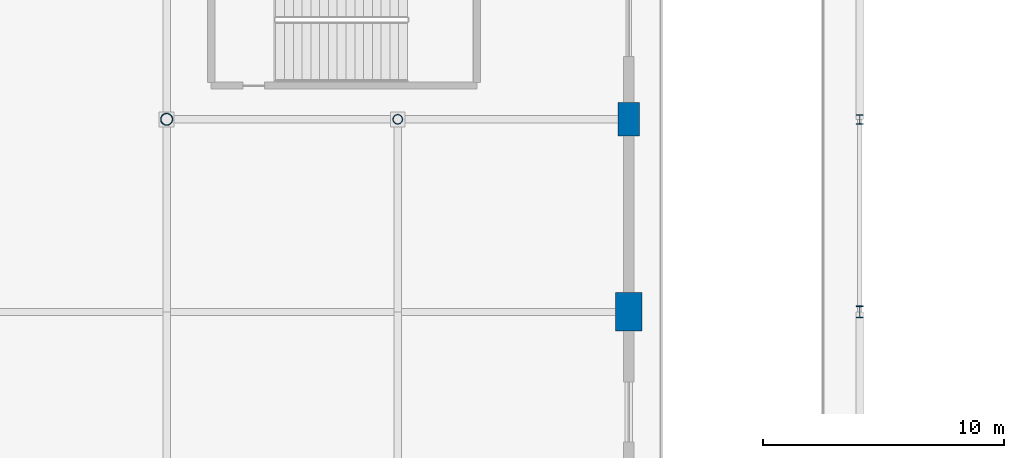
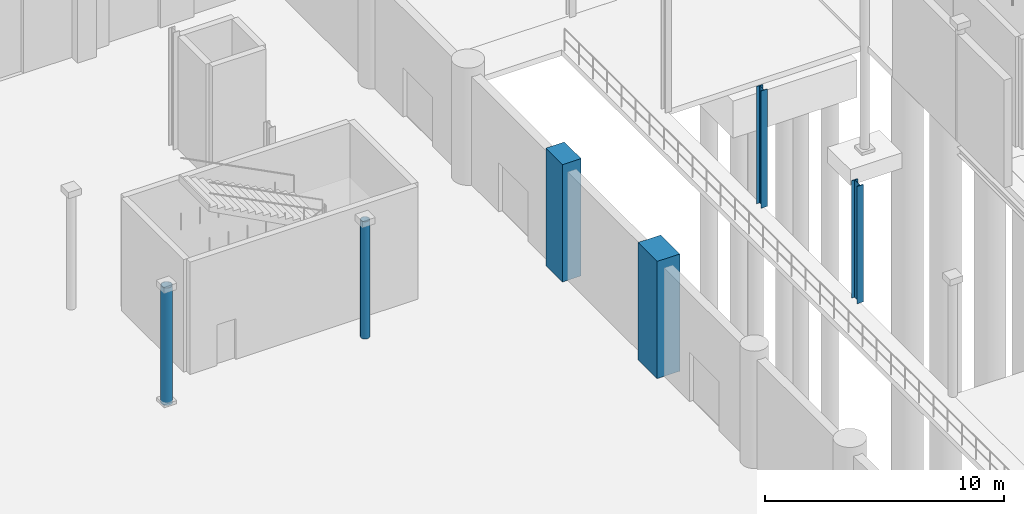
# One storey, part 16 of 124: 6 columns.
"""IFC4 building model written with IfcOpenShell, lengths in metres."""

import ifcopenshell
import ifcopenshell.guid

model = None  # the IFC model being written
_history = None  # IfcOwnerHistory: only IFC2X3 demands one
_inside = {}  # id of a spatial element -> (the spatial element, [elements in it])
_under = {}  # id of a project, library or spatial element -> (it, [spatial elements below it])
_declared = {}  # id of a project -> (the project, [libraries it declares])
_typed = {}  # id of a type object -> (the type object, [elements of that type])
_made_of = {}  # id of a material, layer set ... -> (it, [elements and type objects made of it])


def new_model(schema):
    """Start an empty IFC model of exactly this schema.

    Asked for "IFC4X3", IfcOpenShell would pick the latest addendum, in which some entities
    have other attributes; the version numbers below select the first issue.
    IFC2X3 requires an IfcOwnerHistory on every rooted entity: one is made here for all.
    """
    global model, _history
    if schema == "IFC4X3":
        model = ifcopenshell.file(schema_version=(4, 3, 0, 0))
    else:
        model = ifcopenshell.file(schema=schema)
    _inside.clear()
    _under.clear()
    _declared.clear()
    _typed.clear()
    _made_of.clear()
    _history = None
    if model.schema == "IFC2X3":
        org = make("IfcOrganization", Name="unknown")
        user = make(
            "IfcPersonAndOrganization",
            ThePerson=make("IfcPerson", FamilyName="unknown"),
            TheOrganization=org,
        )
        app = make(
            "IfcApplication",
            ApplicationDeveloper=org,
            Version="unknown",
            ApplicationFullName="unknown",
            ApplicationIdentifier="unknown",
        )
        _history = make(
            "IfcOwnerHistory",
            OwningUser=user,
            OwningApplication=app,
            ChangeAction="ADDED",
            CreationDate=0,
        )
    return model


def make(cls, **values):
    """One entity of the class cls with the attributes given. An attribute that is None is left unset."""
    return model.create_entity(
        cls, **{name: value for name, value in values.items() if value is not None}
    )


def rooted(cls, **values):
    """An entity with a GlobalId (a new one), such as an element, a storey or a relation."""
    return make(cls, GlobalId=ifcopenshell.guid.new(), OwnerHistory=_history, **values)


def si_unit(unit_type, name, prefix=None):
    """IfcSIUnit, for example si_unit("LENGTHUNIT", "METRE", prefix="MILLI")."""
    return make("IfcSIUnit", UnitType=unit_type, Prefix=prefix, Name=name)


def assignment(units):
    """IfcUnitAssignment: the units of a project."""
    return None if units is None else make("IfcUnitAssignment", Units=units)


def point(xyz):
    """IfcCartesianPoint."""
    return None if xyz is None else make("IfcCartesianPoint", Coordinates=xyz)


def direction(xyz):
    """IfcDirection."""
    return None if xyz is None else make("IfcDirection", DirectionRatios=xyz)


def frame(location, z_axis=None, x_axis=None):
    """IfcAxis2Placement3D, a coordinate frame: its origin and axes. An axis left out is left unset."""
    return make(
        "IfcAxis2Placement3D",
        Location=point(location),
        Axis=direction(z_axis),
        RefDirection=direction(x_axis),
    )


def frame_2d(location, x_axis=None):
    """IfcAxis2Placement2D, a coordinate frame in the plane: its origin and x axis."""
    return make(
        "IfcAxis2Placement2D", Location=point(location), RefDirection=direction(x_axis)
    )


def origin():
    """The frame at (0, 0, 0) with its axes left unset."""
    return frame((0.0, 0.0, 0.0))


def origin_2d():
    """The frame at (0, 0) in the plane with its x axis left unset."""
    return frame_2d((0.0, 0.0))


def place(relative_to, where):
    """IfcLocalPlacement: puts the frame where relative to a parent placement (None: the world)."""
    return make(
        "IfcLocalPlacement", PlacementRelTo=relative_to, RelativePlacement=where
    )


def context(
    kind, dimensions, precision=None, world=None, true_north=None, identifier=None
):
    """IfcGeometricRepresentationContext, for example the 3D "Model" context."""
    return make(
        "IfcGeometricRepresentationContext",
        ContextIdentifier=identifier,
        ContextType=kind,
        CoordinateSpaceDimension=dimensions,
        Precision=precision,
        WorldCoordinateSystem=world,
        TrueNorth=true_north,
    )


def subcontext(parent, identifier, kind, view, scale=None):
    """IfcGeometricRepresentationSubContext, for example "Body" below "Model"."""
    return make(
        "IfcGeometricRepresentationSubContext",
        ContextIdentifier=identifier,
        ContextType=kind,
        ParentContext=parent,
        TargetScale=scale,
        TargetView=view,
    )


def project(units=None, contexts=None):
    """IfcProject with its units and contexts."""
    return rooted(
        "IfcProject",
        Name="project",
        RepresentationContexts=contexts,
        UnitsInContext=assignment(units),
    )


def spatial(cls, under=None, at=None, **own):
    """A site, building, storey or space (cls), placed at a placement, below another one or the project."""
    s = rooted(cls, ObjectPlacement=at, **own)
    if under is not None:
        _under.setdefault(under.id(), (under, []))[1].append(s)
    return s


def profile(cls, at=None, kind="AREA", **sizes):
    """A parametric profile (cls). Its sizes go by their IFC names, for example OverallWidth=200.0."""
    return make(cls, ProfileType=kind, Position=at, **sizes)


def rectangle(**sizes):
    """IfcRectangleProfileDef."""
    return profile("IfcRectangleProfileDef", **sizes)


def hollow_circle(**sizes):
    """IfcCircleHollowProfileDef."""
    return profile("IfcCircleHollowProfileDef", **sizes)


def i_section(**sizes):
    """IfcIShapeProfileDef."""
    return profile("IfcIShapeProfileDef", **sizes)


def extrude(swept, where, along, depth):
    """IfcExtrudedAreaSolid: the profile swept, set in the frame where, extruded along a direction by depth."""
    return make(
        "IfcExtrudedAreaSolid",
        SweptArea=swept,
        Position=where,
        ExtrudedDirection=direction(along),
        Depth=depth,
    )


def shape(context_of_items, identifier, shape_type, items):
    """IfcShapeRepresentation: the items that make up one representation, for example the "Body"."""
    return make(
        "IfcShapeRepresentation",
        ContextOfItems=context_of_items,
        RepresentationIdentifier=identifier,
        RepresentationType=shape_type,
        Items=items,
    )


def material(Name=None, Category=None):
    """IfcMaterial."""
    return make("IfcMaterial", Name=Name, Category=Category)


def material_profile(
    of_material, cross_section, Name=None, Category=None, Priority=None
):
    """IfcMaterialProfile: a cross section and its material."""
    return make(
        "IfcMaterialProfile",
        Name=Name,
        Material=of_material,
        Profile=cross_section,
        Priority=Priority,
        Category=Category,
    )


def profile_set(profiles, Name=None, composite=None):
    """IfcMaterialProfileSet."""
    return make(
        "IfcMaterialProfileSet",
        Name=Name,
        MaterialProfiles=profiles,
        CompositeProfile=composite,
    )


def made_of(thing, what):
    """Note that an element or type object is made of a material, layer set ...; save() writes the relation."""
    if what is not None:
        _made_of.setdefault(what.id(), (what, []))[1].append(thing)
    return thing


def type_object(cls, material=None, **own):
    """A type object (cls), such as IfcWallType, which elements share."""
    return made_of(rooted(cls, **own), material)


def element(
    cls,
    number,
    at=None,
    inside=None,
    cuts=None,
    type_object=None,
    material=None,
    context=None,
    identifier="Body",
    shape_type=None,
    held_by="IfcProductDefinitionShape",
    body=None,
    shapes=None,
    **own,
):
    """One element of the class cls, such as IfcWall. Its Tag is "e" and its number.

    at: its placement. inside: the storey or other place that contains it. cuts: it is an
    opening in that element (IfcRelVoidsElement). A single representation is given by context,
    identifier, shape_type and body (its items); several are given by shapes. held_by: the class
    of the entity that holds the representations. save() writes the other relations.
    """
    e = rooted(cls, Tag="e%d" % number, ObjectPlacement=at, **own)
    if body is not None:
        shapes = [shape(context, identifier, shape_type, body)]
    if shapes is not None:
        e.Representation = make(held_by, Representations=shapes)
    if inside is not None:
        _inside.setdefault(inside.id(), (inside, []))[1].append(e)
    if cuts is not None:
        rooted(
            "IfcRelVoidsElement", RelatingBuildingElement=cuts, RelatedOpeningElement=e
        )
    if type_object is not None:
        _typed.setdefault(type_object.id(), (type_object, []))[1].append(e)
    return made_of(e, material)


def aggregate(whole, parts):
    """IfcRelAggregates: a whole, such as a stair, and the parts it consists of."""
    return rooted("IfcRelAggregates", RelatingObject=whole, RelatedObjects=parts)


def save(model, path):
    """Write the relations noted so far, then the file.

    IfcRelAggregates (storeys below a building ...), IfcRelContainedInSpatialStructure (elements
    in a storey), IfcRelDefinesByType, IfcRelAssociatesMaterial and IfcRelDeclares: one each for
    every whole, place, type object, material and project.
    """
    for whole, parts in _under.values():
        aggregate(whole, parts)
    for where, things in _inside.values():
        rooted(
            "IfcRelContainedInSpatialStructure",
            RelatedElements=things,
            RelatingStructure=where,
        )
    for kind, things in _typed.values():
        rooted("IfcRelDefinesByType", RelatedObjects=things, RelatingType=kind)
    for what, things in _made_of.values():
        rooted("IfcRelAssociatesMaterial", RelatedObjects=things, RelatingMaterial=what)
    for by, libraries in _declared.values():
        rooted("IfcRelDeclares", RelatingContext=by, RelatedDefinitions=libraries)
    model.write(path)


model = new_model("IFC4")

# Units and contexts
model_context = context("Model", 3, precision=1e-05, world=origin(), true_north=direction((0.0, 1.0)))
body_context = subcontext(model_context, "Body", "Model", "MODEL_VIEW")
ifc_project = project(units=[si_unit("LENGTHUNIT", "METRE"), si_unit("AREAUNIT", "SQUARE_METRE"), si_unit("VOLUMEUNIT", "CUBIC_METRE"), si_unit("PLANEANGLEUNIT", "RADIAN"), si_unit("MASSUNIT", "GRAM", prefix="KILO")], contexts=[model_context])

# Site, building, storey
site_placement = place(None, origin())
site = spatial("IfcSite", under=ifc_project, at=site_placement, CompositionType="ELEMENT")
building_placement = place(site_placement, origin())
building = spatial("IfcBuilding", under=site, at=building_placement, Name="Danafjord Basin Convention Centre", CompositionType="ELEMENT")
storey_placement = place(building_placement, origin())
storey = spatial("IfcBuildingStorey", under=building, at=storey_placement, Name="L00", CompositionType="ELEMENT", Elevation=0.0)

# Columns
ifc_material_1 = material(Name="Steel S355", Category="steel")
ifc_material_profile_1 = material_profile(ifc_material_1, hollow_circle(Radius=0.203125, WallThickness=0.02001953125, at=origin_2d()), Name="CHS 406.4x20.0")
ifc_profile_set_1 = profile_set([ifc_material_profile_1], Name="Steel S355")
column_type_1 = type_object("IfcColumnType", Name="COL-C-CHS406", PredefinedType="COLUMN", material=ifc_profile_set_1)
column_1_placement = place(storey_placement, frame((105.60009765625, 120.0, 0.0), z_axis=(0.0, 0.0, 1.0), x_axis=(1.0, 0.0, 0.0)))
element("IfcColumn", 1, at=column_1_placement, inside=storey, type_object=column_type_1, Name="L00 column C-CHS406 at (105.6, 120.0)", PredefinedType="COLUMN", context=body_context, shape_type="SweptSolid", body=[
    extrude(hollow_circle(Radius=0.203125, WallThickness=0.02001953125, at=origin_2d()), origin(), (0.0, 0.0, 1.0), 6.0),
])
ifc_material_profile_2 = material_profile(ifc_material_1, hollow_circle(Radius=0.25390625, WallThickness=0.02490234375, at=origin_2d()), Name="CHS 508.0x25.0")
ifc_profile_set_2 = profile_set([ifc_material_profile_2], Name="Steel S355")
column_type_2 = type_object("IfcColumnType", Name="COL-C-CHS508", PredefinedType="COLUMN", material=ifc_profile_set_2)
column_2_placement = place(storey_placement, frame((96.0, 120.0, 0.0), z_axis=(0.0, 0.0, 1.0), x_axis=(1.0, 0.0, 0.0)))
element("IfcColumn", 2, at=column_2_placement, inside=storey, type_object=column_type_2, Name="L00 column C-CHS508 at (96.0, 120.0)", PredefinedType="COLUMN", context=body_context, shape_type="SweptSolid", body=[
    extrude(hollow_circle(Radius=0.25390625, WallThickness=0.02490234375, at=origin_2d()), origin(), (0.0, 0.0, 1.0), 6.0),
])
ifc_material_profile_3 = material_profile(ifc_material_1, i_section(OverallWidth=0.300048828125, OverallDepth=0.39990234375, WebThickness=0.013427734375, FlangeThickness=0.02392578125, FilletRadius=0.027099609375, at=origin_2d()), Name="HEB 400")
ifc_profile_set_3 = profile_set([ifc_material_profile_3], Name="Steel S355")
column_type_3 = type_object("IfcColumnType", Name="COL-C-HEB400", PredefinedType="COLUMN", material=ifc_profile_set_3)
column_3_placement = place(storey_placement, frame((124.800048828125, 120.0, 0.0), z_axis=(0.0, 0.0, 1.0), x_axis=(1.0, 0.0, 0.0)))
element("IfcColumn", 3, at=column_3_placement, inside=storey, type_object=column_type_3, Name="L00 column C-HEB400 at (124.8, 120.0)", PredefinedType="COLUMN", context=body_context, shape_type="SweptSolid", body=[
    extrude(i_section(OverallWidth=0.300048828125, OverallDepth=0.39990234375, WebThickness=0.013427734375, FlangeThickness=0.02392578125, FilletRadius=0.027099609375, at=origin_2d()), origin(), (0.0, 0.0, 1.0), 6.0),
])
ifc_material_profile_4 = material_profile(ifc_material_1, i_section(OverallWidth=0.300048828125, OverallDepth=0.5, WebThickness=0.014404296875, FlangeThickness=0.028076171875, FilletRadius=0.027099609375, at=origin_2d()), Name="HEB 500")
ifc_profile_set_4 = profile_set([ifc_material_profile_4], Name="Steel S355")
column_type_4 = type_object("IfcColumnType", Name="COL-C-HEB500", PredefinedType="COLUMN", material=ifc_profile_set_4)
column_4_placement = place(storey_placement, frame((124.800048828125, 112.0, 0.0), z_axis=(0.0, 0.0, 1.0), x_axis=(1.0, 0.0, 0.0)))
element("IfcColumn", 4, at=column_4_placement, inside=storey, type_object=column_type_4, Name="L00 column C-HEB500 at (124.8, 112.0)", PredefinedType="COLUMN", context=body_context, shape_type="SweptSolid", body=[
    extrude(i_section(OverallWidth=0.300048828125, OverallDepth=0.5, WebThickness=0.014404296875, FlangeThickness=0.028076171875, FilletRadius=0.027099609375, at=origin_2d()), origin(), (0.0, 0.0, 1.0), 6.0),
])
ifc_material_2 = material(Name="Concrete C50/60", Category="concrete")
ifc_material_profile_5 = material_profile(ifc_material_2, rectangle(XDim=0.89990234375, YDim=1.39990234375, at=origin_2d()), Name="RC 1400x900")
ifc_profile_set_5 = profile_set([ifc_material_profile_5], Name="Concrete C50/60")
column_type_5 = type_object("IfcColumnType", Name="COL-C-RC1400", PredefinedType="COLUMN", material=ifc_profile_set_5)
column_5_placement = place(storey_placement, frame((115.199951171875, 120.0, 0.0), z_axis=(0.0, 0.0, 1.0), x_axis=(1.0, 0.0, 0.0)))
element("IfcColumn", 5, at=column_5_placement, inside=storey, type_object=column_type_5, Name="L00 column C-RC1400 at (115.2, 120.0)", PredefinedType="COLUMN", context=body_context, shape_type="SweptSolid", body=[
    extrude(rectangle(XDim=0.89990234375, YDim=1.39990234375, at=origin_2d()), origin(), (0.0, 0.0, 1.0), 6.0),
])
ifc_material_profile_6 = material_profile(ifc_material_2, rectangle(XDim=1.10009765625, YDim=1.60009765625, at=origin_2d()), Name="RC 1600x1100")
ifc_profile_set_6 = profile_set([ifc_material_profile_6], Name="Concrete C50/60")
column_type_6 = type_object("IfcColumnType", Name="COL-C-RC1600", PredefinedType="COLUMN", material=ifc_profile_set_6)
column_6_placement = place(storey_placement, frame((115.199951171875, 112.0, 0.0), z_axis=(0.0, 0.0, 1.0), x_axis=(1.0, 0.0, 0.0)))
element("IfcColumn", 6, at=column_6_placement, inside=storey, type_object=column_type_6, Name="L00 column C-RC1600 at (115.2, 112.0)", PredefinedType="COLUMN", context=body_context, shape_type="SweptSolid", body=[
    extrude(rectangle(XDim=1.10009765625, YDim=1.60009765625, at=origin_2d()), origin(), (0.0, 0.0, 1.0), 6.0),
])

save(model, "model.ifc")
